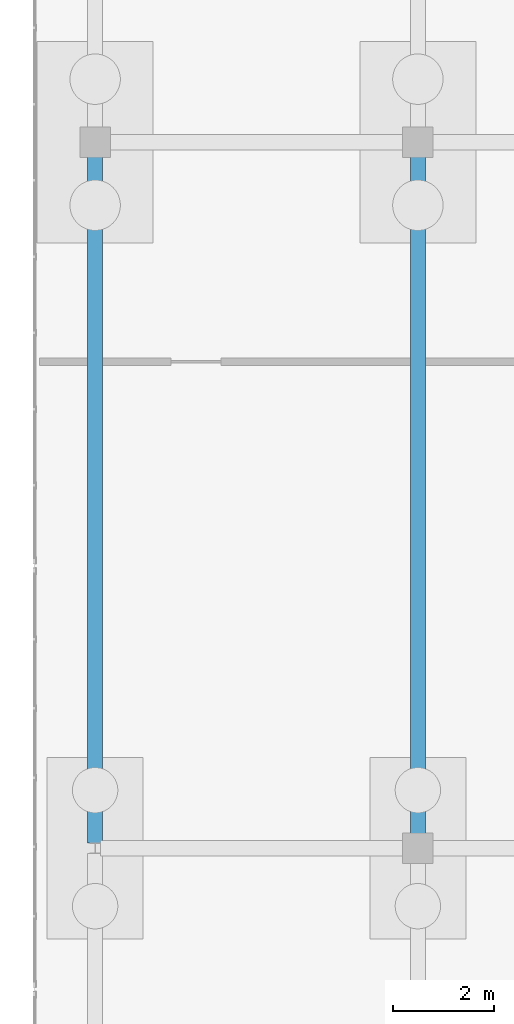
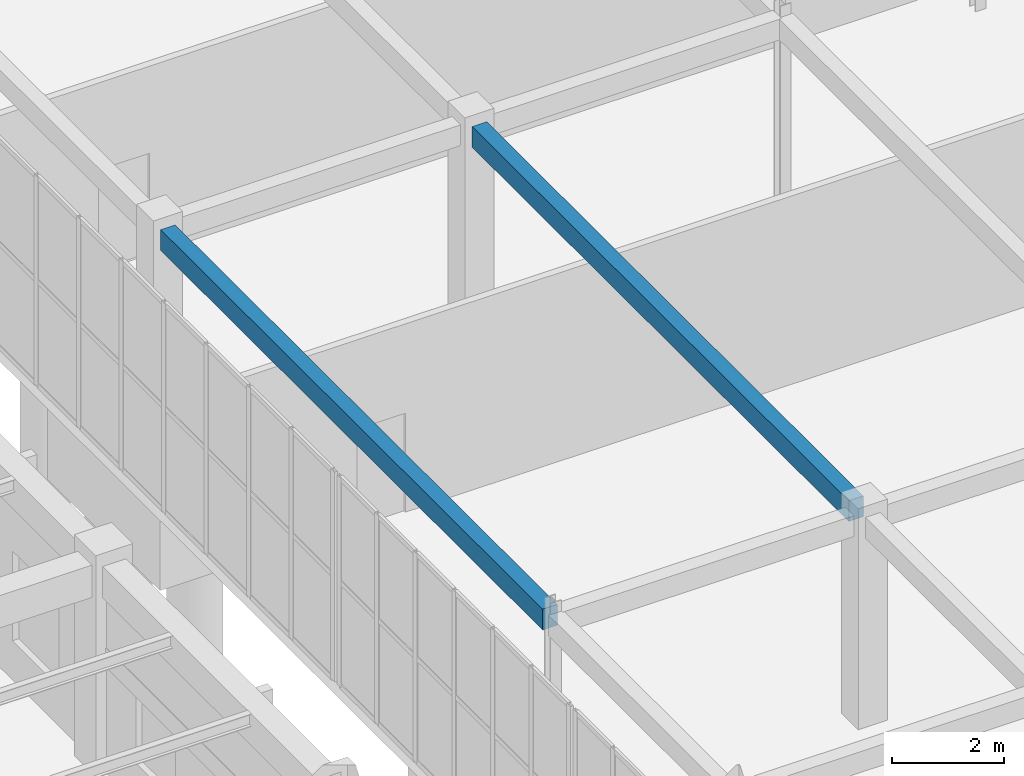
# One storey, part 55 of 192: 2 beams.
"""IFC4 building model written with IfcOpenShell, lengths in metres."""

from ifc_helpers import new_model, si_unit, direction, frame, origin, origin_2d, place, context, subcontext, project, spatial, rectangle, extrude, material, material_profile, profile_set, type_object, element, save


model = new_model("IFC4")

# Units and contexts
model_context = context("Model", 3, precision=1e-05, world=origin(), true_north=direction((0.0, 1.0)))
body_context = subcontext(model_context, "Body", "Model", "MODEL_VIEW")
ifc_project = project(units=[si_unit("LENGTHUNIT", "METRE"), si_unit("AREAUNIT", "SQUARE_METRE"), si_unit("VOLUMEUNIT", "CUBIC_METRE"), si_unit("PLANEANGLEUNIT", "RADIAN"), si_unit("MASSUNIT", "GRAM", prefix="KILO")], contexts=[model_context])

# Site, building, storey
site_placement = place(None, origin())
site = spatial("IfcSite", under=ifc_project, at=site_placement, CompositionType="ELEMENT")
building_placement = place(site_placement, origin())
building = spatial("IfcBuilding", under=site, at=building_placement, Name="Trelvath General Hospital", CompositionType="ELEMENT")
storey_placement = place(building_placement, origin())
storey = spatial("IfcBuildingStorey", under=building, at=storey_placement, Name="L00", CompositionType="ELEMENT", Elevation=0.0)

# Beams
ifc_material = material(Name="Concrete C35/45", Category="concrete")
ifc_material_profile = material_profile(ifc_material, rectangle(XDim=0.300048828125, YDim=0.449951171875, at=origin_2d()), Name="RCB300x450")
ifc_profile_set = profile_set([ifc_material_profile], Name="Concrete C35/45")
beam_type = type_object("IfcBeamType", Name="Beam RC300x450", PredefinedType="BEAM", material=ifc_profile_set)
beam_1_placement = place(storey_placement, frame((48.0, 44.906005859375, 4.3349609375), z_axis=(0.0, 1.0, 0.0), x_axis=(-1.0, 0.0, 0.0)))
element("IfcBeam", 1, at=beam_1_placement, inside=storey, type_object=beam_type, Name="Cube Interior Ring Beam CUBE-W-T0 L00", PredefinedType="BEAM", context=body_context, shape_type="SweptSolid", body=[
    extrude(rectangle(XDim=0.300048828125, YDim=0.449951171875, at=origin_2d()), origin(), (0.0, 0.0, 1.0), 13.597900390625),
])
beam_2_placement = place(storey_placement, frame((54.39990234375, 45.095947265625, 4.3349609375), z_axis=(0.0, 1.0, 0.0), x_axis=(-1.0, 0.0, 0.0)))
element("IfcBeam", 2, at=beam_2_placement, inside=storey, type_object=beam_type, Name="Cube Interior Ring Beam CUBE-W-T0 L00", PredefinedType="BEAM", context=body_context, shape_type="SweptSolid", body=[
    extrude(rectangle(XDim=0.300048828125, YDim=0.449951171875, at=origin_2d()), origin(), (0.0, 0.0, 1.0), 13.407958984375),
])

save(model, "model.ifc")
